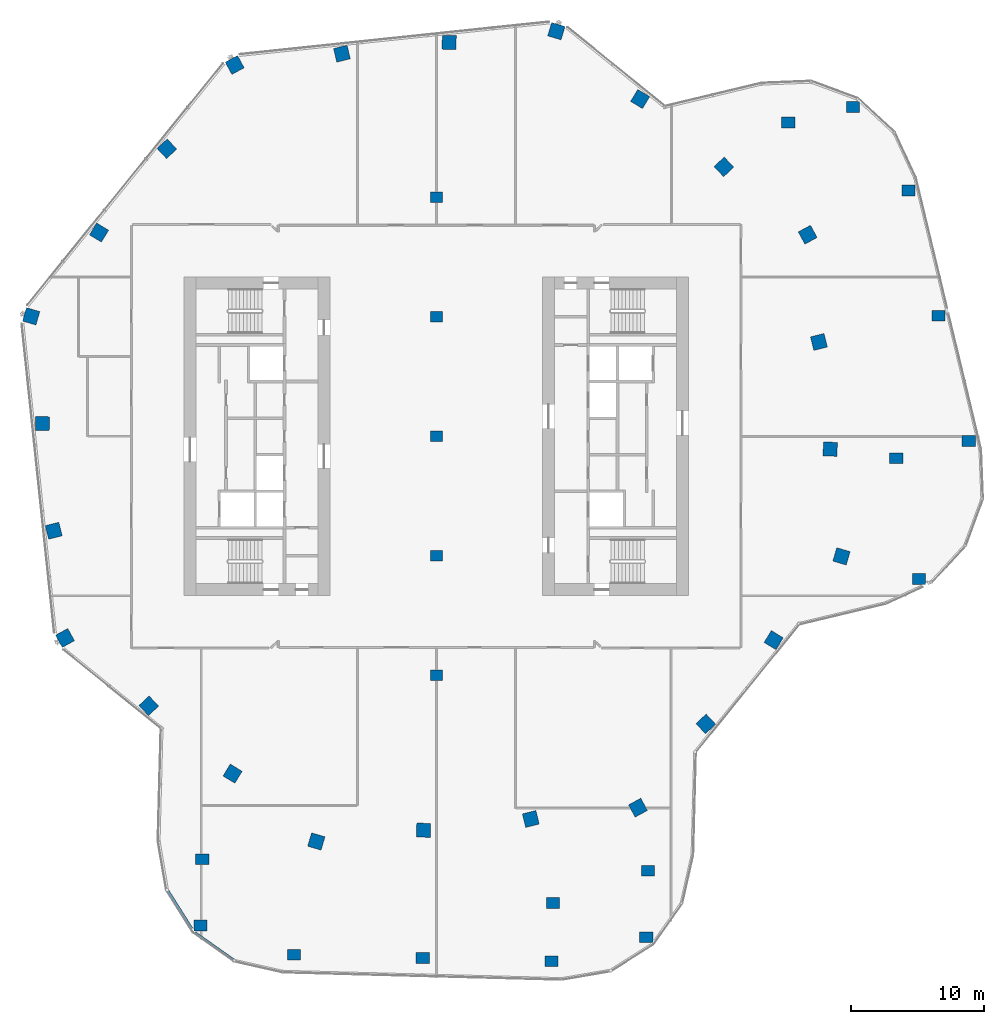
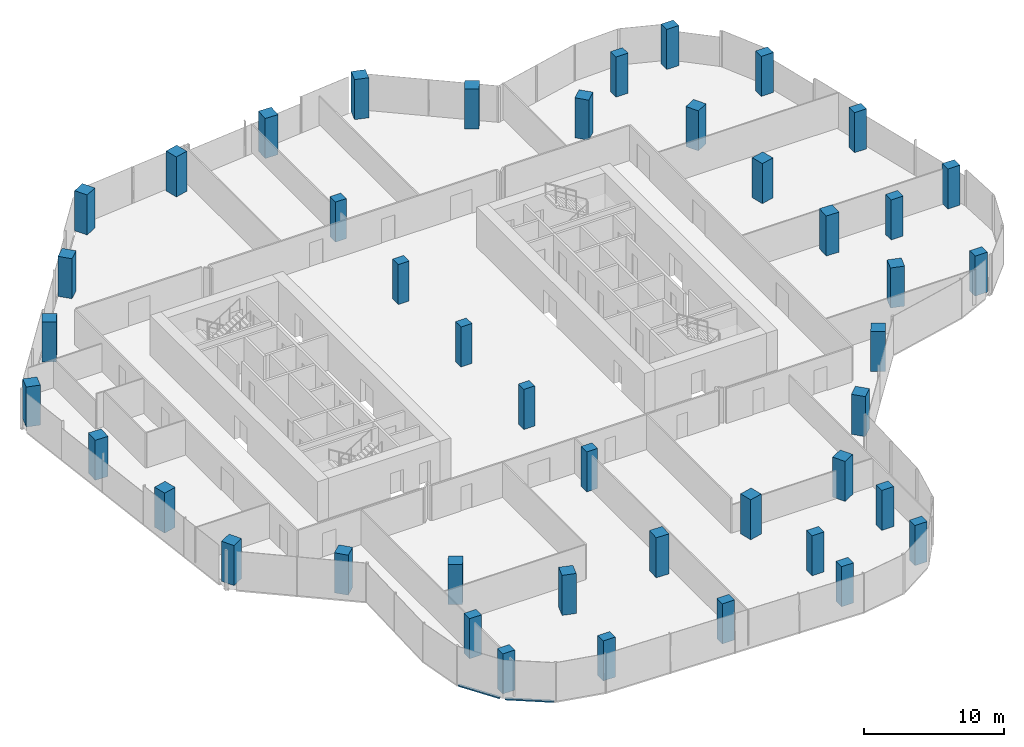
# One storey, part 1 of 23: 44 columns, 2 members, 2 elements without a shape of their own.
"""IFC4 building model written with IfcOpenShell, lengths in metres."""

from ifc_helpers import new_model, si_unit, direction, frame, origin, origin_2d, place, context, subcontext, project, spatial, rectangle, extrude, material, material_profile, profile_set, type_object, element, aggregate, save


model = new_model("IFC4")

# Units and contexts
model_context = context("Model", 3, precision=1e-05, world=origin(), true_north=direction((0.0, 1.0)))
body_context = subcontext(model_context, "Body", "Model", "MODEL_VIEW")
ifc_project = project(units=[si_unit("LENGTHUNIT", "METRE"), si_unit("AREAUNIT", "SQUARE_METRE"), si_unit("VOLUMEUNIT", "CUBIC_METRE"), si_unit("PLANEANGLEUNIT", "RADIAN"), si_unit("MASSUNIT", "GRAM", prefix="KILO")], contexts=[model_context])

# Site, building, storey
site_placement = place(None, origin())
site = spatial("IfcSite", under=ifc_project, at=site_placement, CompositionType="ELEMENT")
building_placement = place(site_placement, origin())
building = spatial("IfcBuilding", under=site, at=building_placement, Name="Orlundy Tower", CompositionType="ELEMENT")
storey_placement = place(building_placement, frame((0.0, 0.0, 224.5)))
storey = spatial("IfcBuildingStorey", under=building, at=storey_placement, Name="L59", CompositionType="ELEMENT", Elevation=224.5)

# Columns
ifc_material_1 = material(Name="Concrete C60/75", Category="concrete")
ifc_material_profile_1 = material_profile(ifc_material_1, rectangle(XDim=1.0, YDim=0.800048828125, at=origin_2d()), Name="RC1000X800")
ifc_profile_set_1 = profile_set([ifc_material_profile_1], Name="Concrete C60/75")
column_type_1 = type_object("IfcColumnType", Name="RC COLUMN RC1000X800 C60/75", PredefinedType="COLUMN", material=ifc_profile_set_1)
for number, where, z_axis, x_axis, name in (
    (1, (36.35498046875, -10.743896484375, 0.0), (0.0, 0.0, 1.0), (1.0, 0.0, 0.0), "Column C-A1-1 L59"),
    (2, (40.090087890625, -0.35107421875, 0.0), (0.0, 0.0, 1.0), (1.0, 0.0, 0.0), "Column C-A2-5 L59"),
    (3, (34.64404296875, -1.657958984375, 0.0), (0.0, 0.0, 1.0), (1.0, 0.0, 0.0), "Column C-A2-6 L59"),
    (4, (37.824951171875, 9.0810546875, 0.0), (0.0, 0.0, 1.0), (1.0, 0.0, 0.0), "Column C-A3-5 L59"),
    (5, (35.56103515625, 18.512939453125, 0.0), (0.0, 0.0, 1.0), (1.0, 0.0, 0.0), "Column C-A4-5 L59"),
    (6, (31.3701171875, 24.802001953125, 0.0), (0.0, 0.0, 1.0), (1.0, 0.0, 0.0), "Column C-A5-5 L59"),
    (7, (26.508056640625, 23.635009765625, 0.0), (0.0, 0.0, 1.0), (1.0, 0.0, 0.0), "Column C-A5-6 L59"),
    (8, (-17.763916015625, -36.841064453125, 0.0), (0.0, 0.0, 1.0), (1.0, 0.0, 0.0), "Column C-B1-6 L59"),
    (9, (-17.633056640625, -31.843017578125, 0.0), (0.0, 0.0, 1.0), (1.0, 0.0, 0.0), "Column C-B1-7 L59"),
    (10, (-10.72509765625, -39.032958984375, 0.0), (0.0, 0.0, 1.0), (1.0, 0.0, 0.0), "Column C-B2-6 L59"),
    (11, (-1.029052734375, -39.287109375, 0.0), (0.0, 0.0, 1.0), (1.0, 0.0, 0.0), "Column C-B3-6 L59"),
    (12, (8.66796875, -39.5400390625, 0.0), (0.0, 0.0, 1.0), (1.0, 0.0, 0.0), "Column C-B4-6 L59"),
    (13, (8.782958984375, -35.14208984375, 0.0), (0.0, 0.0, 1.0), (1.0, 0.0, 0.0), "Column C-B4-7 L59"),
    (14, (15.81103515625, -37.719970703125, 0.0), (0.0, 0.0, 1.0), (1.0, 0.0, 0.0), "Column C-B5-6 L59"),
    (15, (15.94189453125, -32.721923828125, 0.0), (0.0, 0.0, 1.0), (1.0, 0.0, 0.0), "Column C-B5-7 L59"),
):
    element("IfcColumn", number, at=place(storey_placement, frame(where, z_axis=z_axis, x_axis=x_axis)), inside=storey, type_object=column_type_1, Name=name, PredefinedType="COLUMN", context=body_context, shape_type="SweptSolid", body=[
        extrude(rectangle(XDim=1.0, YDim=0.800048828125, at=origin_2d()), origin(), (0.0, 0.0, 1.0), 3.5),
    ])
ifc_material_2 = material(Name="Concrete C60/75", Category="concrete")
ifc_material_profile_2 = material_profile(ifc_material_2, rectangle(XDim=1.050048828125, YDim=1.050048828125, at=origin_2d()), Name="RC1050X1050")
ifc_profile_set_2 = profile_set([ifc_material_profile_2], Name="Concrete C60/75")
column_type_2 = type_object("IfcColumnType", Name="RC COLUMN RC1050X1050 C60/75", PredefinedType="COLUMN", material=ifc_profile_set_2)
for number, where, z_axis, x_axis, name in (
    (16, (9.0380859375, 30.511962890625, 0.0), (0.0, 0.0, 1.0), (0.284015344704, 0.958819734868, 0.0), "Column C-H01 L59"),
    (17, (15.346923828125, 25.403076171875, 0.0), (0.0, 0.0, 1.0), (0.517101113058, 0.855924318427, 0.0), "Column C-H02 L59"),
    (18, (21.656982421875, 20.29296875, 0.0), (0.0, 0.0, 1.0), (0.729708951739, 0.683757885331, 0.0), "Column C-H03 L59"),
    (19, (27.966064453125, 15.18408203125, 0.0), (0.0, 0.0, 1.0), (0.878817112662, 0.47715876026, 0.0), "Column C-H04 L59"),
    (20, (28.81494140625, 7.110107421875, 0.0), (0.0, 0.0, 1.0), (0.970879774729, 0.239567241127, 0.0), "Column C-H05 L59"),
    (21, (29.6630859375, -0.964111328125, 0.0), (0.0, 0.0, 1.0), (0.99947255242, -0.032474866578, 0.0), "Column C-H06 L59"),
    (22, (30.511962890625, -9.0380859375, 0.0), (0.0, 0.0, 1.0), (0.958819734868, -0.284015344704, 0.0), "Column C-H07 L59"),
    (23, (25.403076171875, -15.346923828125, 0.0), (0.0, 0.0, 1.0), (0.855924318427, -0.517101113058, 0.0), "Column C-H08 L59"),
    (24, (20.29296875, -21.656982421875, 0.0), (0.0, 0.0, 1.0), (0.683757885331, -0.729708951739, 0.0), "Column C-H09 L59"),
    (25, (15.18408203125, -27.966064453125, 0.0), (0.0, 0.0, 1.0), (0.47715876026, -0.878817112662, 0.0), "Column C-H10 L59"),
    (26, (7.110107421875, -28.81494140625, 0.0), (0.0, 0.0, 1.0), (0.239567241127, -0.970879774729, 0.0), "Column C-H11 L59"),
    (27, (-0.964111328125, -29.6630859375, 0.0), (0.0, 0.0, 1.0), (-0.032474866578, -0.99947255242, 0.0), "Column C-H12 L59"),
    (28, (-9.0380859375, -30.511962890625, 0.0), (0.0, 0.0, 1.0), (-0.284015344704, -0.958819734868, 0.0), "Column C-H13 L59"),
    (29, (-15.346923828125, -25.403076171875, 0.0), (0.0, 0.0, 1.0), (-0.517101113058, -0.855924318427, 0.0), "Column C-H14 L59"),
    (30, (-21.656982421875, -20.29296875, 0.0), (0.0, 0.0, 1.0), (-0.729708951739, -0.683757885331, 0.0), "Column C-H15 L59"),
    (31, (-27.966064453125, -15.18408203125, 0.0), (0.0, 0.0, 1.0), (-0.878817112662, -0.47715876026, 0.0), "Column C-H16 L59"),
    (32, (-28.81494140625, -7.110107421875, 0.0), (0.0, 0.0, 1.0), (-0.970879774729, -0.239567241127, 0.0), "Column C-H17 L59"),
    (33, (-29.6630859375, 0.964111328125, 0.0), (0.0, 0.0, 1.0), (-0.99947255242, 0.032474866578, 0.0), "Column C-H18 L59"),
    (34, (-30.511962890625, 9.0380859375, 0.0), (0.0, 0.0, 1.0), (-0.958819734868, 0.284015344704, 0.0), "Column C-H19 L59"),
    (35, (-25.403076171875, 15.346923828125, 0.0), (0.0, 0.0, 1.0), (-0.855924318427, 0.517101113058, 0.0), "Column C-H20 L59"),
    (36, (-20.29296875, 21.656982421875, 0.0), (0.0, 0.0, 1.0), (-0.683757885331, 0.729708951739, 0.0), "Column C-H21 L59"),
    (37, (-15.18408203125, 27.966064453125, 0.0), (0.0, 0.0, 1.0), (-0.47715876026, 0.878817112662, 0.0), "Column C-H22 L59"),
    (38, (-7.110107421875, 28.81494140625, 0.0), (0.0, 0.0, 1.0), (-0.239567241127, 0.970879774729, 0.0), "Column C-H23 L59"),
    (39, (0.964111328125, 29.6630859375, 0.0), (0.0, 0.0, 1.0), (0.032474866578, 0.99947255242, 0.0), "Column C-H24 L59"),
):
    element("IfcColumn", number, at=place(storey_placement, frame(where, z_axis=z_axis, x_axis=x_axis)), inside=storey, type_object=column_type_2, Name=name, PredefinedType="COLUMN", context=body_context, shape_type="SweptSolid", body=[
        extrude(rectangle(XDim=1.050048828125, YDim=1.050048828125, at=origin_2d()), origin(), (0.0, 0.0, 1.0), 3.5),
    ])
ifc_material_3 = material(Name="Concrete C60/75", Category="concrete")
ifc_material_profile_3 = material_profile(ifc_material_3, rectangle(XDim=0.89990234375, YDim=0.800048828125, at=origin_2d()), Name="RC900X800")
ifc_profile_set_3 = profile_set([ifc_material_profile_3], Name="Concrete C60/75")
column_type_3 = type_object("IfcColumnType", Name="RC COLUMN RC900X800 C60/75", PredefinedType="COLUMN", material=ifc_profile_set_3)
for number, where, z_axis, x_axis, name in (
    (40, (0.0, -18.0, 0.0), (0.0, 0.0, 1.0), (1.0, 0.0, 0.0), "Column C-M1 L59"),
    (41, (0.0, -9.0, 0.0), (0.0, 0.0, 1.0), (1.0, 0.0, 0.0), "Column C-M2 L59"),
    (42, (0.0, 0.0, 0.0), (0.0, 0.0, 1.0), (1.0, 0.0, 0.0), "Column C-M3 L59"),
    (43, (0.0, 9.0, 0.0), (0.0, 0.0, 1.0), (1.0, 0.0, 0.0), "Column C-M4 L59"),
    (44, (0.0, 18.0, 0.0), (0.0, 0.0, 1.0), (1.0, 0.0, 0.0), "Column C-M5 L59"),
):
    element("IfcColumn", number, at=place(storey_placement, frame(where, z_axis=z_axis, x_axis=x_axis)), inside=storey, type_object=column_type_3, Name=name, PredefinedType="COLUMN", context=body_context, shape_type="SweptSolid", body=[
        extrude(rectangle(XDim=0.89990234375, YDim=0.800048828125, at=origin_2d()), origin(), (0.0, 0.0, 1.0), 3.5),
    ])

# Curtain wall, member
ifc_material_4 = material(Name="Aluminium bronze anodised", Category="aluminium")
curtain_wall_type = type_object("IfcCurtainWallType", Name="CW1 wall", PredefinedType="NOTDEFINED", material=ifc_material_4)
curtain_wall_1_placement = place(storey_placement, origin())
curtain_wall_1 = element("IfcCurtainWall", 45, at=curtain_wall_1_placement, inside=storey, type_object=curtain_wall_type, Name="CW1 run 025", PredefinedType="NOTDEFINED")
ifc_material_5 = material(Name="Aluminium bronze anodised", Category="aluminium")
ifc_material_profile_4 = material_profile(ifc_material_5, rectangle(XDim=0.179931640625, YDim=0.1201171875, at=origin_2d()), Name="CW1 transom 180x120")
ifc_profile_set_4 = profile_set([ifc_material_profile_4], Name="Aluminium bronze anodised")
member_type = type_object("IfcMemberType", Name="CW1 transom 180x120", PredefinedType="USERDEFINED", material=ifc_profile_set_4)
member_1_placement = place(storey_placement, frame((-15.28271484375, -39.4248046875, -0.360107421875), z_axis=(-0.816718215174, 0.577036703342, 0.0), x_axis=(-0.577036703342, -0.816718215174, 0.0)))
member_1 = element("IfcMember", 46, at=member_1_placement, type_object=member_type, Name="CW1 transom", ObjectType="TRANSOM", PredefinedType="USERDEFINED", context=body_context, shape_type="SweptSolid", body=[
    extrude(rectangle(XDim=0.179931640625, YDim=0.1201171875, at=origin_2d()), origin(), (0.0, 0.0, 1.0), 3.5244140625),
])
aggregate(curtain_wall_1, [member_1])

curtain_wall_2_placement = place(storey_placement, origin())
curtain_wall_2 = element("IfcCurtainWall", 47, at=curtain_wall_2_placement, inside=storey, type_object=curtain_wall_type, Name="CW1 run 026", PredefinedType="NOTDEFINED")
member_2_placement = place(storey_placement, frame((-18.4140625, -37.081787109375, -0.360107421875), z_axis=(-0.533624631108, 0.845721439409, 0.0), x_axis=(-0.845721439409, -0.533624631108, 0.0)))
member_2 = element("IfcMember", 48, at=member_2_placement, type_object=member_type, Name="CW1 transom", ObjectType="TRANSOM", PredefinedType="USERDEFINED", context=body_context, shape_type="SweptSolid", body=[
    extrude(rectangle(XDim=0.179931640625, YDim=0.1201171875, at=origin_2d()), origin(), (0.0, 0.0, 1.0), 3.366943359375),
])
aggregate(curtain_wall_2, [member_2])

save(model, "model.ifc")
